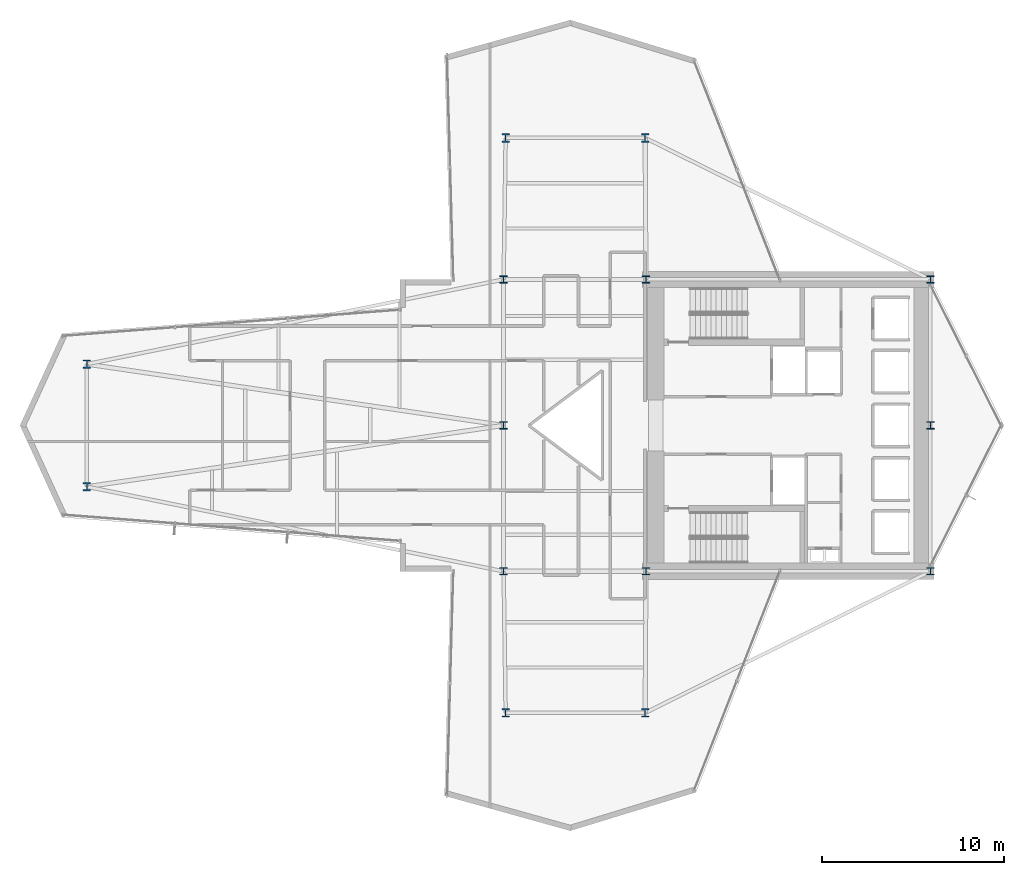
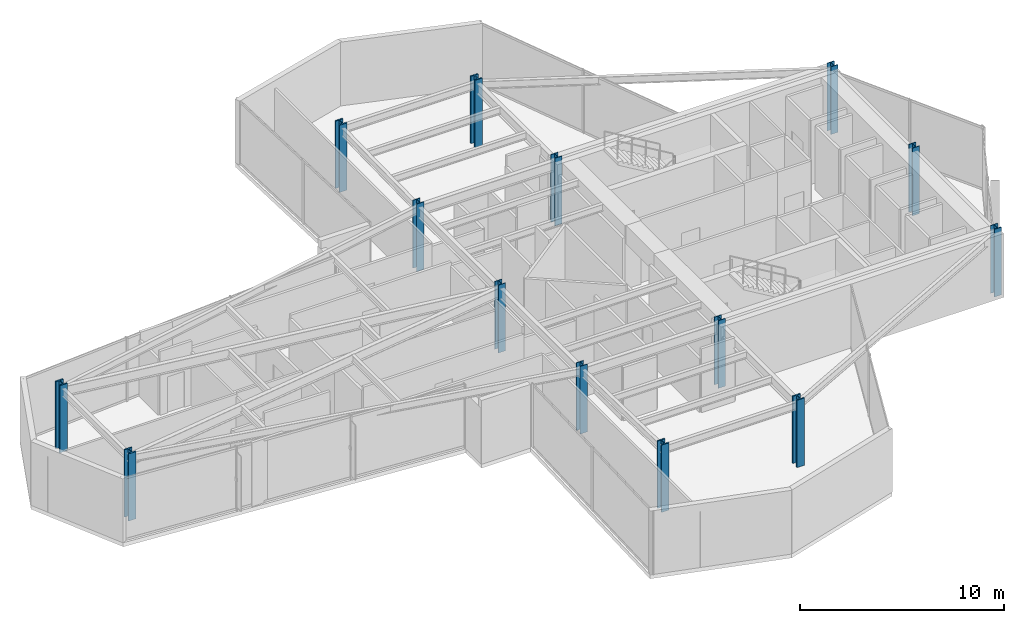
# One storey, part 1 of 30: 14 columns.
"""IFC4 building model written with IfcOpenShell, lengths in metres."""

from ifc_helpers import new_model, si_unit, direction, frame, origin, origin_2d, place, context, subcontext, project, spatial, i_section, extrude, material, material_profile, profile_set, type_object, element, save


model = new_model("IFC4")

# Units and contexts
model_context = context("Model", 3, precision=1e-05, world=origin(), true_north=direction((0.0, 1.0)))
body_context = subcontext(model_context, "Body", "Model", "MODEL_VIEW")
ifc_project = project(units=[si_unit("LENGTHUNIT", "METRE"), si_unit("AREAUNIT", "SQUARE_METRE"), si_unit("VOLUMEUNIT", "CUBIC_METRE"), si_unit("PLANEANGLEUNIT", "RADIAN"), si_unit("MASSUNIT", "GRAM", prefix="KILO")], contexts=[model_context])

# Site, building, storey
site_placement = place(None, origin())
site = spatial("IfcSite", under=ifc_project, at=site_placement, CompositionType="ELEMENT")
building_placement = place(site_placement, origin())
building = spatial("IfcBuilding", under=site, at=building_placement, Name="Veymaron Broadcast Tower", CompositionType="ELEMENT")
storey_placement = place(building_placement, frame((0.0, 0.0, 54.0)))
storey = spatial("IfcBuildingStorey", under=building, at=storey_placement, Name="L11", CompositionType="ELEMENT", Elevation=54.0)

# Columns
ifc_material = material(Name="Structural steel ASTM A913 Gr 65", Category="steel")
ifc_material_profile_1 = material_profile(ifc_material, i_section(OverallWidth=0.40087890625, OverallDepth=0.39892578125, WebThickness=0.02490234375, FlangeThickness=0.03955078125, at=origin_2d()), Name="W360X314")
ifc_profile_set_1 = profile_set([ifc_material_profile_1], Name="Structural steel ASTM A913 Gr 65")
column_type_1 = type_object("IfcColumnType", Name="COL-HC1", PredefinedType="COLUMN", material=ifc_profile_set_1)
for number, where, z_axis, x_axis, name in (
    (1, (31.199951171875, 16.0, 0.0), (0.0, 0.0, 1.0), (1.0, 0.0, 0.0), "L11 structural hub and core column"),
    (2, (31.199951171875, 24.0, 0.0), (0.0, 0.0, 1.0), (1.0, 0.0, 0.0), "L11 structural hub and core column"),
    (3, (31.199951171875, 32.0, 0.0), (0.0, 0.0, 1.0), (1.0, 0.0, 0.0), "L11 structural hub and core column"),
    (4, (39.0, 16.0, 0.0), (0.0, 0.0, 1.0), (1.0, 0.0, 0.0), "L11 structural hub and core column"),
    (5, (39.0, 32.0, 0.0), (0.0, 0.0, 1.0), (1.0, 0.0, 0.0), "L11 structural hub and core column"),
    (6, (54.60009765625, 16.0, 0.0), (0.0, 0.0, 1.0), (1.0, 0.0, 0.0), "L11 structural hub and core column"),
    (7, (54.60009765625, 24.0, 0.0), (0.0, 0.0, 1.0), (1.0, 0.0, 0.0), "L11 structural hub and core column"),
    (8, (54.60009765625, 32.0, 0.0), (0.0, 0.0, 1.0), (1.0, 0.0, 0.0), "L11 structural hub and core column"),
):
    element("IfcColumn", number, at=place(storey_placement, frame(where, z_axis=z_axis, x_axis=x_axis)), inside=storey, type_object=column_type_1, Name=name, PredefinedType="COLUMN", context=body_context, shape_type="SweptSolid", body=[
        extrude(i_section(OverallWidth=0.40087890625, OverallDepth=0.39892578125, WebThickness=0.02490234375, FlangeThickness=0.03955078125, at=origin_2d()), origin(), (0.0, 0.0, 1.0), 4.0439453125),
    ])
ifc_material_profile_2 = material_profile(ifc_material, i_section(OverallWidth=0.424072265625, OverallDepth=0.47412109375, WebThickness=0.047607421875, FlangeThickness=0.076904296875, at=origin_2d()), Name="W360X634")
ifc_profile_set_2 = profile_set([ifc_material_profile_2], Name="Structural steel ASTM A913 Gr 65")
column_type_2 = type_object("IfcColumnType", Name="COL-MC1", PredefinedType="COLUMN", material=ifc_profile_set_2)
for number, where, z_axis, x_axis, name in (
    (9, (8.35205078125, 20.639892578125, 0.01611328125), (0.0, 0.0, 1.0), (1.0, 0.0, 0.0), "L11 Tapered Wing Mega Column"),
    (10, (8.35205078125, 27.360107421875, 0.01611328125), (0.0, 0.0, 1.0), (1.0, 0.0, 0.0), "L11 Tapered Wing Mega Column"),
    (11, (31.31201171875, 39.760009765625, 0.01611328125), (0.0, 0.0, 1.0), (1.0, 0.0, 0.0), "L11 Tapered Wing Mega Column"),
    (12, (38.9599609375, 39.760009765625, 0.01611328125), (0.0, 0.0, 1.0), (1.0, 0.0, 0.0), "L11 Tapered Wing Mega Column"),
    (13, (31.31201171875, 8.239990234375, 0.01611328125), (0.0, 0.0, 1.0), (1.0, 0.0, 0.0), "L11 Tapered Wing Mega Column"),
    (14, (38.9599609375, 8.239990234375, 0.01611328125), (0.0, 0.0, 1.0), (1.0, 0.0, 0.0), "L11 Tapered Wing Mega Column"),
):
    element("IfcColumn", number, at=place(storey_placement, frame(where, z_axis=z_axis, x_axis=x_axis)), inside=storey, type_object=column_type_2, Name=name, PredefinedType="COLUMN", context=body_context, shape_type="SweptSolid", body=[
        extrude(i_section(OverallWidth=0.424072265625, OverallDepth=0.47412109375, WebThickness=0.047607421875, FlangeThickness=0.076904296875, at=origin_2d()), origin(), (0.0, 0.0, 1.0), 4.017822265625),
    ])

save(model, "model.ifc")
